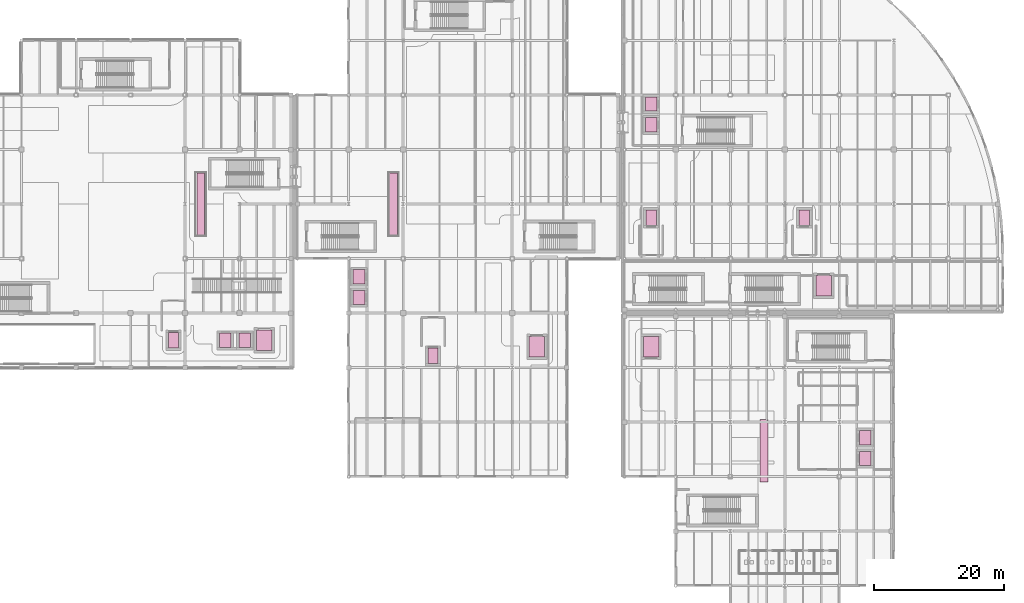
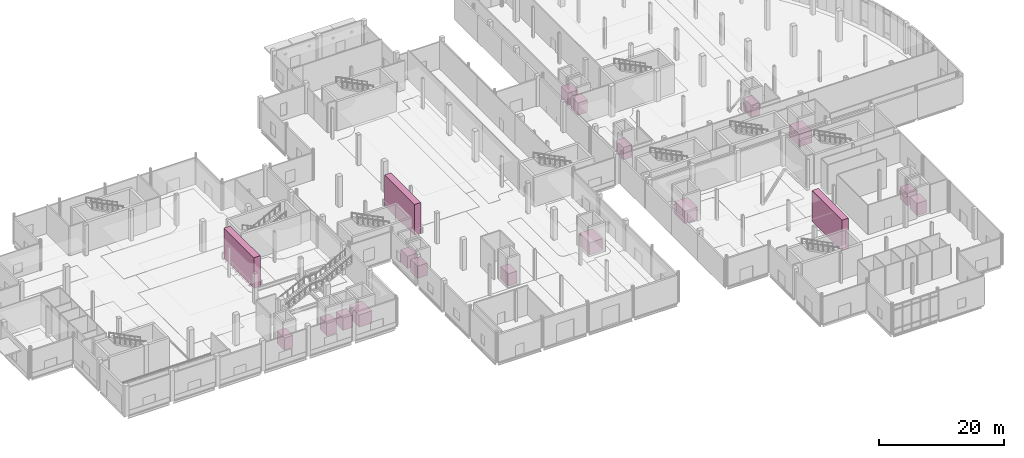
# One storey, part 85 of 85: 19 transport elements.
"""IFC4 building model written with IfcOpenShell, lengths in metres."""

from ifc_helpers import new_model, si_unit, direction, frame, origin, origin_2d, place, context, subcontext, project, spatial, rectangle, extrude, material, type_object, element, save


model = new_model("IFC4")

# Units and contexts
model_context = context("Model", 3, precision=1e-05, world=origin(), true_north=direction((0.0, 1.0)))
body_context = subcontext(model_context, "Body", "Model", "MODEL_VIEW")
ifc_project = project(units=[si_unit("LENGTHUNIT", "METRE"), si_unit("AREAUNIT", "SQUARE_METRE"), si_unit("VOLUMEUNIT", "CUBIC_METRE"), si_unit("PLANEANGLEUNIT", "RADIAN"), si_unit("MASSUNIT", "GRAM", prefix="KILO"), si_unit("THERMODYNAMICTEMPERATUREUNIT", "KELVIN")], contexts=[model_context])

# Site, building, storey
site_placement = place(None, origin())
site = spatial("IfcSite", under=ifc_project, at=site_placement, CompositionType="ELEMENT")
building_placement = place(site_placement, origin())
building = spatial("IfcBuilding", under=site, at=building_placement, Name="Lustrewick Department Store", CompositionType="ELEMENT")
storey_placement = place(building_placement, origin())
storey = spatial("IfcBuildingStorey", under=building, at=storey_placement, Name="L01", CompositionType="ELEMENT", Elevation=0.0)

# Transport elements
ifc_material_1 = material(Name="Brushed stainless steel and safety glass escalator", Category="steel")
transport_element_type_1 = type_object("IfcTransportElementType", Name="ESC-30", PredefinedType="ESCALATOR", material=ifc_material_1)
for number, where, z_axis, x_axis, name in (
    (1, (44.39990234375, 67.199951171875, 0.0), (0.0, 0.0, 1.0), (1.0, 0.0, 0.0), "L01 Reversible Escalator ESC-01"),
    (2, (74.10009765625, 67.199951171875, 0.0), (0.0, 0.0, 1.0), (1.0, 0.0, 0.0), "L01 Reversible Escalator ESC-07"),
    (3, (131.199951171875, 29.199951171875, 0.0), (0.0, 0.0, 1.0), (1.0, 0.0, 0.0), "L01 Reversible Escalator ESC-11"),
):
    element("IfcTransportElement", number, at=place(storey_placement, frame(where, z_axis=z_axis, x_axis=x_axis)), inside=storey, type_object=transport_element_type_1, Name=name, PredefinedType="ESCALATOR", context=body_context, shape_type="SweptSolid", body=[
        extrude(rectangle(XDim=1.199951171875, YDim=9.60009765625, at=origin_2d()), origin(), (0.0, 0.0, 1.0), 6.0),
    ])
ifc_material_2 = material(Name="Brushed stainless steel elevator car cab", Category="steel")
transport_element_type_2 = type_object("IfcTransportElementType", Name="LFT-FF", PredefinedType="ELEVATOR", material=ifc_material_2)
for number, where, z_axis, x_axis, name in (
    (4, (40.199951171875, 46.199951171875, 0.0), (0.0, 0.0, 1.0), (1.0, 0.0, 0.0), "Elevator FFL-01"),
    (5, (80.199951171875, 43.800048828125, 0.0), (0.0, 0.0, 1.0), (1.0, 0.0, 0.0), "Elevator FFL-02"),
    (6, (137.39990234375, 65.10009765625, 0.0), (0.0, 0.0, 1.0), (1.0, 0.0, 0.0), "Elevator FFL-03"),
    (7, (113.800048828125, 65.10009765625, 0.0), (0.0, 0.0, 1.0), (1.0, 0.0, 0.0), "Elevator FFL-04"),
):
    element("IfcTransportElement", number, at=place(storey_placement, frame(where, z_axis=z_axis, x_axis=x_axis)), inside=storey, type_object=transport_element_type_2, Name=name, PredefinedType="ELEVATOR", context=body_context, shape_type="SweptSolid", body=[
        extrude(rectangle(XDim=1.60009765625, YDim=2.39990234375, at=origin_2d()), origin(), (0.0, 0.0, 1.0), 2.39990234375),
    ])
transport_element_type_3 = type_object("IfcTransportElementType", Name="LFT-GL", PredefinedType="ELEVATOR", material=ifc_material_2)
for number, where, z_axis, x_axis, name in (
    (8, (54.199951171875, 46.199951171875, 0.0), (0.0, 0.0, 1.0), (1.0, 0.0, 0.0), "Elevator GL-01"),
    (9, (96.199951171875, 45.199951171875, 0.0), (0.0, 0.0, 1.0), (1.0, 0.0, 0.0), "Elevator GL-02"),
    (10, (113.800048828125, 45.199951171875, 0.0), (0.0, 0.0, 1.0), (1.0, 0.0, 0.0), "Elevator GL-03"),
    (11, (140.39990234375, 54.60009765625, 0.0), (0.0, 0.0, 1.0), (1.0, 0.0, 0.0), "Elevator GL-04"),
):
    element("IfcTransportElement", number, at=place(storey_placement, frame(where, z_axis=z_axis, x_axis=x_axis)), inside=storey, type_object=transport_element_type_3, Name=name, PredefinedType="ELEVATOR", context=body_context, shape_type="SweptSolid", body=[
        extrude(rectangle(XDim=2.39990234375, YDim=3.199951171875, at=origin_2d()), origin(), (0.0, 0.0, 1.0), 2.39990234375),
    ])
transport_element_type_4 = type_object("IfcTransportElementType", Name="LFT-PL", PredefinedType="ELEVATOR", material=ifc_material_2)
for number, where, z_axis, x_axis, name in (
    (12, (48.199951171875, 46.199951171875, 0.0), (0.0, 0.0, 1.0), (1.0, 0.0, 0.0), "Elevator PL-01"),
    (13, (51.199951171875, 46.199951171875, 0.0), (0.0, 0.0, 1.0), (1.0, 0.0, 0.0), "Elevator PL-02"),
    (14, (68.800048828125, 52.800048828125, 0.0), (0.0, 0.0, 1.0), (1.0, 0.0, 0.0), "Elevator PL-03"),
    (15, (68.800048828125, 56.0, 0.0), (0.0, 0.0, 1.0), (1.0, 0.0, 0.0), "Elevator PL-04"),
    (16, (146.800048828125, 28.0, 0.0), (0.0, 0.0, 1.0), (1.0, 0.0, 0.0), "Elevator PL-05"),
    (17, (146.800048828125, 31.199951171875, 0.0), (0.0, 0.0, 1.0), (1.0, 0.0, 0.0), "Elevator PL-06"),
    (18, (113.800048828125, 79.39990234375, 0.0), (0.0, 0.0, 1.0), (1.0, 0.0, 0.0), "Elevator PL-07"),
    (19, (113.800048828125, 82.60009765625, 0.0), (0.0, 0.0, 1.0), (1.0, 0.0, 0.0), "Elevator PL-08"),
):
    element("IfcTransportElement", number, at=place(storey_placement, frame(where, z_axis=z_axis, x_axis=x_axis)), inside=storey, type_object=transport_element_type_4, Name=name, PredefinedType="ELEVATOR", context=body_context, shape_type="SweptSolid", body=[
        extrude(rectangle(XDim=1.800048828125, YDim=2.199951171875, at=origin_2d()), origin(), (0.0, 0.0, 1.0), 2.39990234375),
    ])

save(model, "model.ifc")
